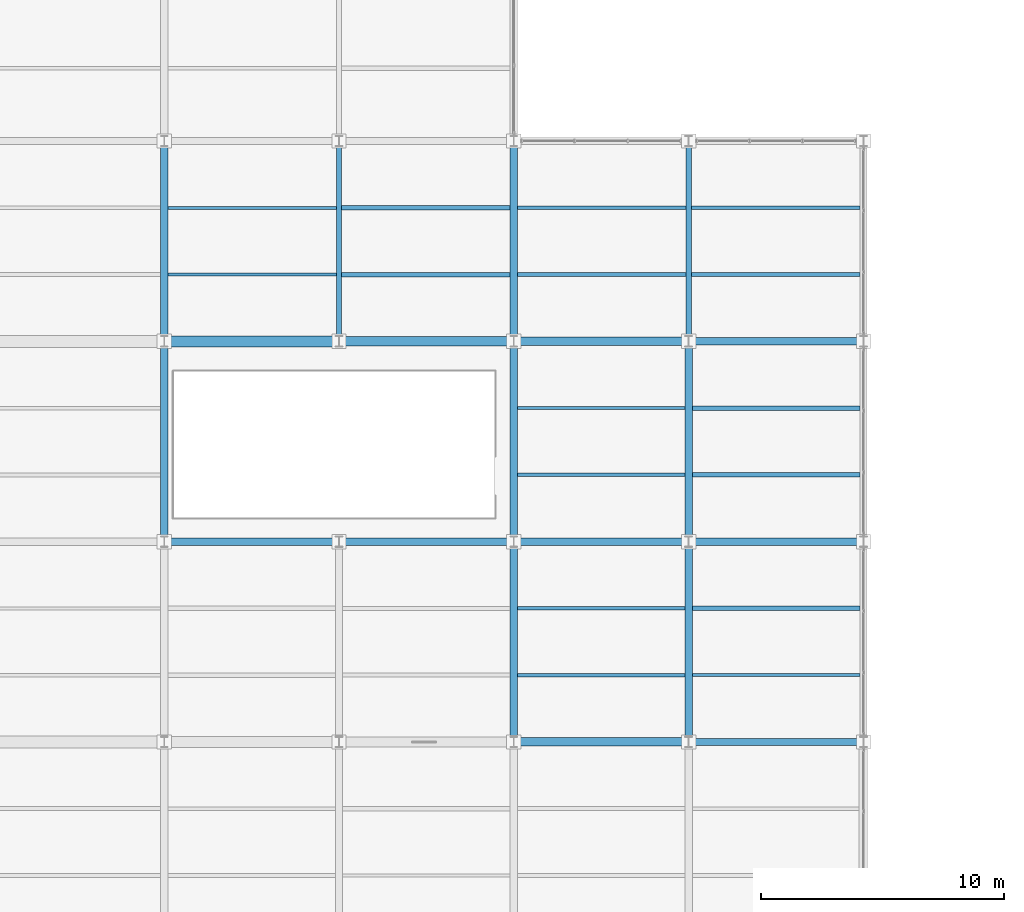
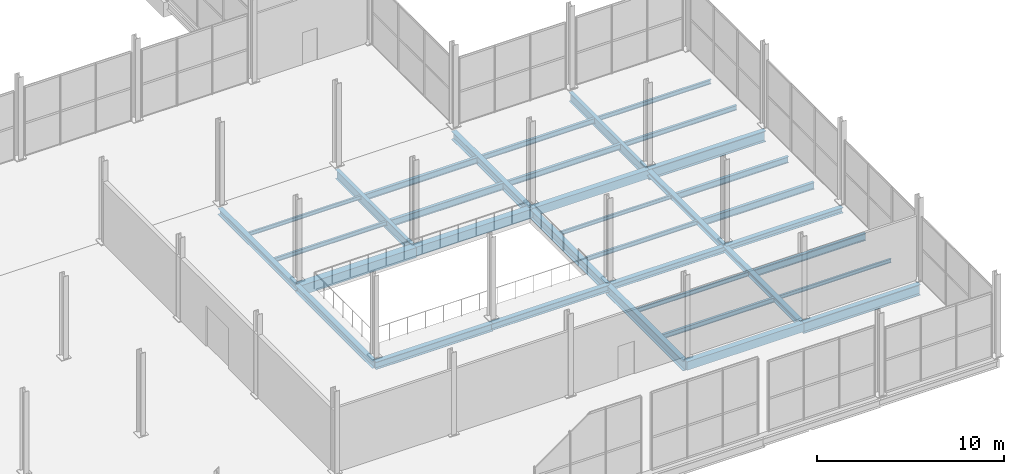
# One storey, part 81 of 147: 35 beams.
"""IFC4 building model written with IfcOpenShell, lengths in metres."""

from ifc_helpers import new_model, si_unit, direction, frame, origin, origin_2d, place, context, subcontext, project, spatial, rectangle, i_section, extrude, material, material_profile, profile_set, type_object, element, save


model = new_model("IFC4")

# Units and contexts
model_context = context("Model", 3, precision=1e-05, world=origin(), true_north=direction((0.0, 1.0)))
body_context = subcontext(model_context, "Body", "Model", "MODEL_VIEW")
ifc_project = project(units=[si_unit("LENGTHUNIT", "METRE"), si_unit("AREAUNIT", "SQUARE_METRE"), si_unit("VOLUMEUNIT", "CUBIC_METRE"), si_unit("PLANEANGLEUNIT", "RADIAN"), si_unit("MASSUNIT", "GRAM", prefix="KILO")], contexts=[model_context])

# Site, building, storey
site_placement = place(None, origin())
site = spatial("IfcSite", under=ifc_project, at=site_placement, CompositionType="ELEMENT")
building_placement = place(site_placement, origin())
building = spatial("IfcBuilding", under=site, at=building_placement, Name="Sundgate Opera House", CompositionType="ELEMENT")
storey_placement = place(building_placement, frame((0.0, 0.0, 6.0)))
storey = spatial("IfcBuildingStorey", under=building, at=storey_placement, Name="L01", CompositionType="ELEMENT", Elevation=6.0)

# Beams
ifc_material_1 = material(Name="Steel S355J2", Category="steel")
ifc_material_profile_1 = material_profile(ifc_material_1, i_section(OverallWidth=0.300048828125, OverallDepth=0.330078125, WebThickness=0.009521484375, FlangeThickness=0.0166015625, at=origin_2d()), Name="HEA 340")
ifc_profile_set_1 = profile_set([ifc_material_profile_1], Name="Steel S355J2")
beam_type_1 = type_object("IfcBeamType", Name="BM-GR-HEA340", PredefinedType="BEAM", material=ifc_profile_set_1)
beam_1_placement = place(storey_placement, frame((153.0, 16.5, -0.465087890625), z_axis=(0.0, 1.0, 0.0), x_axis=(-1.0, 0.0, 0.0)))
element("IfcBeam", 1, at=beam_1_placement, inside=storey, type_object=beam_type_1, Name="L01 Primary N-S Girder B1239", PredefinedType="BEAM", context=body_context, shape_type="SweptSolid", body=[
    extrude(i_section(OverallWidth=0.300048828125, OverallDepth=0.330078125, WebThickness=0.009521484375, FlangeThickness=0.0166015625, at=origin_2d()), origin(), (0.0, 0.0, 1.0), 8.25),
])
ifc_material_2 = material(Name="Steel S355J2", Category="steel")
ifc_material_profile_2 = material_profile(ifc_material_2, i_section(OverallWidth=0.300048828125, OverallDepth=0.35009765625, WebThickness=0.010009765625, FlangeThickness=0.017578125, at=origin_2d()), Name="HEA 360")
ifc_profile_set_2 = profile_set([ifc_material_profile_2], Name="Steel S355J2")
beam_type_2 = type_object("IfcBeamType", Name="BM-GR-HEA360", PredefinedType="BEAM", material=ifc_profile_set_2)
beam_2_placement = place(storey_placement, frame((153.0, 8.25, -0.47509765625), z_axis=(0.0, 1.0, 0.0), x_axis=(-1.0, 0.0, 0.0)))
element("IfcBeam", 2, at=beam_2_placement, inside=storey, type_object=beam_type_2, Name="L01 Primary N-S Girder B1238", PredefinedType="BEAM", context=body_context, shape_type="SweptSolid", body=[
    extrude(i_section(OverallWidth=0.300048828125, OverallDepth=0.35009765625, WebThickness=0.010009765625, FlangeThickness=0.017578125, at=origin_2d()), origin(), (0.0, 0.0, 1.0), 8.25),
])
beam_3_placement = place(storey_placement, frame((153.0, 16.5, -0.47509765625), z_axis=(1.0, 0.0, 0.0), x_axis=(0.0, 1.0, 0.0)))
element("IfcBeam", 3, at=beam_3_placement, inside=storey, type_object=beam_type_2, Name="L01 Primary E-W Girder B1304", PredefinedType="BEAM", context=body_context, shape_type="SweptSolid", body=[
    extrude(i_section(OverallWidth=0.300048828125, OverallDepth=0.35009765625, WebThickness=0.010009765625, FlangeThickness=0.017578125, at=origin_2d()), origin(), (0.0, 0.0, 1.0), 7.199951171875),
])
ifc_material_3 = material(Name="Steel S355J2", Category="steel")
ifc_material_profile_3 = material_profile(ifc_material_3, i_section(OverallWidth=0.300048828125, OverallDepth=0.389892578125, WebThickness=0.010986328125, FlangeThickness=0.01904296875, at=origin_2d()), Name="HEA 400")
ifc_profile_set_3 = profile_set([ifc_material_profile_3], Name="Steel S355J2")
beam_type_3 = type_object("IfcBeamType", Name="BM-GR-HEA400", PredefinedType="BEAM", material=ifc_profile_set_3)
beam_4_placement = place(storey_placement, frame((145.800048828125, 16.5, -0.4951171875), z_axis=(1.0, 0.0, 0.0), x_axis=(0.0, 1.0, 0.0)))
element("IfcBeam", 4, at=beam_4_placement, inside=storey, type_object=beam_type_3, Name="L01 Primary E-W Girder B1303", PredefinedType="BEAM", context=body_context, shape_type="SweptSolid", body=[
    extrude(i_section(OverallWidth=0.300048828125, OverallDepth=0.389892578125, WebThickness=0.010986328125, FlangeThickness=0.01904296875, at=origin_2d()), origin(), (0.0, 0.0, 1.0), 7.199951171875),
])
ifc_material_4 = material(Name="Steel S355J2", Category="steel")
ifc_material_profile_4 = material_profile(ifc_material_4, i_section(OverallWidth=0.300048828125, OverallDepth=0.43994140625, WebThickness=0.011474609375, FlangeThickness=0.02099609375, at=origin_2d()), Name="HEA 450")
ifc_profile_set_4 = profile_set([ifc_material_profile_4], Name="Steel S355J2")
beam_type_4 = type_object("IfcBeamType", Name="BM-GR-HEA450", PredefinedType="BEAM", material=ifc_profile_set_4)
beam_5_placement = place(storey_placement, frame((138.60009765625, 16.5, -0.52001953125), z_axis=(1.0, 0.0, 0.0), x_axis=(0.0, 1.0, 0.0)))
element("IfcBeam", 5, at=beam_5_placement, inside=storey, type_object=beam_type_4, Name="L01 Primary E-W Girder B1302", PredefinedType="BEAM", context=body_context, shape_type="SweptSolid", body=[
    extrude(i_section(OverallWidth=0.300048828125, OverallDepth=0.43994140625, WebThickness=0.011474609375, FlangeThickness=0.02099609375, at=origin_2d()), origin(), (0.0, 0.0, 1.0), 7.199951171875),
])
ifc_material_5 = material(Name="Steel S355J2", Category="steel")
ifc_material_profile_5 = material_profile(ifc_material_5, i_section(OverallWidth=0.300048828125, OverallDepth=0.489990234375, WebThickness=0.011962890625, FlangeThickness=0.02294921875, at=origin_2d()), Name="HEA 500")
ifc_profile_set_5 = profile_set([ifc_material_profile_5], Name="Steel S355J2")
beam_type_5 = type_object("IfcBeamType", Name="BM-GR-HEA500", PredefinedType="BEAM", material=ifc_profile_set_5)
beam_6_placement = place(storey_placement, frame((131.39990234375, 16.5, -0.544921875), z_axis=(1.0, 0.0, 0.0), x_axis=(0.0, 1.0, 0.0)))
element("IfcBeam", 6, at=beam_6_placement, inside=storey, type_object=beam_type_5, Name="L01 Primary E-W Girder B1301", PredefinedType="BEAM", context=body_context, shape_type="SweptSolid", body=[
    extrude(i_section(OverallWidth=0.300048828125, OverallDepth=0.489990234375, WebThickness=0.011962890625, FlangeThickness=0.02294921875, at=origin_2d()), origin(), (0.0, 0.0, 1.0), 7.2001953125),
])
ifc_material_6 = material(Name="Steel S355J2", Category="steel")
ifc_material_profile_6 = material_profile(ifc_material_6, i_section(OverallWidth=0.300048828125, OverallDepth=0.39990234375, WebThickness=0.013427734375, FlangeThickness=0.02392578125, at=origin_2d()), Name="HEB 400")
ifc_profile_set_6 = profile_set([ifc_material_profile_6], Name="Steel S355J2")
beam_type_6 = type_object("IfcBeamType", Name="BM-GR-HEB400", PredefinedType="BEAM", material=ifc_profile_set_6)
beam_7_placement = place(storey_placement, frame((131.39990234375, 24.75, -0.5), z_axis=(0.0, 1.0, 0.0), x_axis=(-1.0, 0.0, 0.0)))
element("IfcBeam", 7, at=beam_7_placement, inside=storey, type_object=beam_type_6, Name="L01 Primary N-S Girder B1210", PredefinedType="BEAM", context=body_context, shape_type="SweptSolid", body=[
    extrude(i_section(OverallWidth=0.300048828125, OverallDepth=0.39990234375, WebThickness=0.013427734375, FlangeThickness=0.02392578125, at=origin_2d()), origin(), (0.0, 0.0, 1.0), 8.25),
])
ifc_material_7 = material(Name="Steel S355J2", Category="steel")
ifc_material_profile_7 = material_profile(ifc_material_7, i_section(OverallWidth=0.300048828125, OverallDepth=0.449951171875, WebThickness=0.013916015625, FlangeThickness=0.02587890625, at=origin_2d()), Name="HEB 450")
ifc_profile_set_7 = profile_set([ifc_material_profile_7], Name="Steel S355J2")
beam_type_7 = type_object("IfcBeamType", Name="BM-GR-HEB450", PredefinedType="BEAM", material=ifc_profile_set_7)
beam_8_placement = place(storey_placement, frame((131.39990234375, 16.5, -0.52490234375), z_axis=(0.0, 1.0, 0.0), x_axis=(-1.0, 0.0, 0.0)))
element("IfcBeam", 8, at=beam_8_placement, inside=storey, type_object=beam_type_7, Name="L01 Primary N-S Girder B1209", PredefinedType="BEAM", context=body_context, shape_type="SweptSolid", body=[
    extrude(i_section(OverallWidth=0.300048828125, OverallDepth=0.449951171875, WebThickness=0.013916015625, FlangeThickness=0.02587890625, at=origin_2d()), origin(), (0.0, 0.0, 1.0), 8.25),
])
ifc_material_8 = material(Name="Steel S355J2", Category="steel")
ifc_material_profile_8 = material_profile(ifc_material_8, i_section(OverallWidth=0.300048828125, OverallDepth=0.550048828125, WebThickness=0.014892578125, FlangeThickness=0.029052734375, at=origin_2d()), Name="HEB 550")
ifc_profile_set_8 = profile_set([ifc_material_profile_8], Name="Steel S355J2")
beam_type_8 = type_object("IfcBeamType", Name="BM-GR-HEB550", PredefinedType="BEAM", material=ifc_profile_set_8)
beam_9_placement = place(storey_placement, frame((145.800048828125, 24.75, -0.574951171875), z_axis=(0.0, 1.0, 0.0), x_axis=(-1.0, 0.0, 0.0)))
element("IfcBeam", 9, at=beam_9_placement, inside=storey, type_object=beam_type_8, Name="L01 Primary N-S Girder B1229", PredefinedType="BEAM", context=body_context, shape_type="SweptSolid", body=[
    extrude(i_section(OverallWidth=0.300048828125, OverallDepth=0.550048828125, WebThickness=0.014892578125, FlangeThickness=0.029052734375, at=origin_2d()), origin(), (0.0, 0.0, 1.0), 8.25),
])
ifc_material_9 = material(Name="Steel S355J2", Category="steel")
ifc_material_profile_9 = material_profile(ifc_material_9, i_section(OverallWidth=0.300048828125, OverallDepth=0.60009765625, WebThickness=0.015380859375, FlangeThickness=0.030029296875, at=origin_2d()), Name="HEB 600")
ifc_profile_set_9 = profile_set([ifc_material_profile_9], Name="Steel S355J2")
beam_type_9 = type_object("IfcBeamType", Name="BM-GR-HEB600", PredefinedType="BEAM", material=ifc_profile_set_9)
beam_10_placement = place(storey_placement, frame((145.800048828125, 16.5, -0.60009765625), z_axis=(0.0, 1.0, 0.0), x_axis=(-1.0, 0.0, 0.0)))
element("IfcBeam", 10, at=beam_10_placement, inside=storey, type_object=beam_type_9, Name="L01 Primary N-S Girder B1228", PredefinedType="BEAM", context=body_context, shape_type="SweptSolid", body=[
    extrude(i_section(OverallWidth=0.300048828125, OverallDepth=0.60009765625, WebThickness=0.015380859375, FlangeThickness=0.030029296875, at=origin_2d()), origin(), (0.0, 0.0, 1.0), 8.25),
])
ifc_material_10 = material(Name="Steel S355J2", Category="steel")
ifc_material_profile_10 = material_profile(ifc_material_10, i_section(OverallWidth=0.300048828125, OverallDepth=0.64990234375, WebThickness=0.01611328125, FlangeThickness=0.031005859375, at=origin_2d()), Name="HEB 650")
ifc_profile_set_10 = profile_set([ifc_material_profile_10], Name="Steel S355J2")
beam_type_10 = type_object("IfcBeamType", Name="BM-GR-HEB650", PredefinedType="BEAM", material=ifc_profile_set_10)
beam_11_placement = place(storey_placement, frame((145.800048828125, 8.25, -0.625), z_axis=(0.0, 1.0, 0.0), x_axis=(-1.0, 0.0, 0.0)))
element("IfcBeam", 11, at=beam_11_placement, inside=storey, type_object=beam_type_10, Name="L01 Primary N-S Girder B1227", PredefinedType="BEAM", context=body_context, shape_type="SweptSolid", body=[
    extrude(i_section(OverallWidth=0.300048828125, OverallDepth=0.64990234375, WebThickness=0.01611328125, FlangeThickness=0.031005859375, at=origin_2d()), origin(), (0.0, 0.0, 1.0), 8.25),
])
ifc_material_11 = material(Name="Steel S355J2", Category="steel")
ifc_material_profile_11 = material_profile(ifc_material_11, i_section(OverallWidth=0.300048828125, OverallDepth=0.699951171875, WebThickness=0.01708984375, FlangeThickness=0.031982421875, at=origin_2d()), Name="HEB 700")
ifc_profile_set_11 = profile_set([ifc_material_profile_11], Name="Steel S355J2")
beam_type_11 = type_object("IfcBeamType", Name="BM-GR-HEB700", PredefinedType="BEAM", material=ifc_profile_set_11)
for number, where, z_axis, x_axis, name in (
    (12, (153.0, 8.25, -0.64990234375), (1.0, 0.0, 0.0), (0.0, 1.0, 0.0), "L01 Primary E-W Girder B1292"),
    (13, (153.0, 24.75, -0.64990234375), (1.0, 0.0, 0.0), (0.0, 1.0, 0.0), "L01 Primary E-W Girder B1314"),
):
    element("IfcBeam", number, at=place(storey_placement, frame(where, z_axis=z_axis, x_axis=x_axis)), inside=storey, type_object=beam_type_11, Name=name, PredefinedType="BEAM", context=body_context, shape_type="SweptSolid", body=[
        extrude(i_section(OverallWidth=0.300048828125, OverallDepth=0.699951171875, WebThickness=0.01708984375, FlangeThickness=0.031982421875, at=origin_2d()), origin(), (0.0, 0.0, 1.0), 7.199951171875),
    ])
ifc_material_12 = material(Name="Steel S355J2", Category="steel")
ifc_material_profile_12 = material_profile(ifc_material_12, i_section(OverallWidth=0.219970703125, OverallDepth=0.60009765625, WebThickness=0.011962890625, FlangeThickness=0.01904296875, at=origin_2d()), Name="IPE 600")
ifc_profile_set_12 = profile_set([ifc_material_profile_12], Name="Steel S355J2")
beam_type_12 = type_object("IfcBeamType", Name="BM-GR-IPE600", PredefinedType="BEAM", material=ifc_profile_set_12)
for number, where, z_axis, x_axis, name in (
    (14, (138.60009765625, 24.75, -0.60009765625), (0.0, 1.0, 0.0), (-1.0, 0.0, 0.0), "L01 Primary N-S Girder B1218"),
    (15, (153.0, 24.75, -0.60009765625), (0.0, 1.0, 0.0), (-1.0, 0.0, 0.0), "L01 Primary N-S Girder B1240"),
):
    element("IfcBeam", number, at=place(storey_placement, frame(where, z_axis=z_axis, x_axis=x_axis)), inside=storey, type_object=beam_type_12, Name=name, PredefinedType="BEAM", context=body_context, shape_type="SweptSolid", body=[
        extrude(i_section(OverallWidth=0.219970703125, OverallDepth=0.60009765625, WebThickness=0.011962890625, FlangeThickness=0.01904296875, at=origin_2d()), origin(), (0.0, 0.0, 1.0), 8.25),
    ])
ifc_material_13 = material(Name="Steel S355J2", Category="steel")
ifc_material_profile_13 = material_profile(ifc_material_13, i_section(OverallWidth=0.1201171875, OverallDepth=0.239990234375, WebThickness=0.006103515625, FlangeThickness=0.009765625, at=origin_2d()), Name="IPE 240")
ifc_profile_set_13 = profile_set([ifc_material_profile_13], Name="Steel S355J2")
beam_type_13 = type_object("IfcBeamType", Name="BM-JS-IPE240", PredefinedType="JOIST", material=ifc_profile_set_13)
for number, where, z_axis, x_axis, name in (
    (16, (153.14990234375, 11.0, -0.419921875), (1.0, 0.0, 0.0), (0.0, 1.0, 0.0), "L01 Secondary Floor Joist B1518"),
    (17, (145.949951171875, 22.0, -0.419921875), (1.0, 0.0, 0.0), (0.0, 1.0, 0.0), "L01 Secondary Floor Joist B1532"),
):
    element("IfcBeam", number, at=place(storey_placement, frame(where, z_axis=z_axis, x_axis=x_axis)), inside=storey, type_object=beam_type_13, Name=name, PredefinedType="JOIST", context=body_context, shape_type="SweptSolid", body=[
        extrude(i_section(OverallWidth=0.1201171875, OverallDepth=0.239990234375, WebThickness=0.006103515625, FlangeThickness=0.009765625, at=origin_2d()), origin(), (0.0, 0.0, 1.0), 6.900146484375),
    ])
beam_12_placement = place(storey_placement, frame((131.550048828125, 30.25, -0.419921875), z_axis=(1.0, 0.0, 0.0), x_axis=(0.0, 1.0, 0.0)))
element("IfcBeam", 18, at=beam_12_placement, inside=storey, type_object=beam_type_13, Name="L01 Secondary Floor Joist B1546", PredefinedType="JOIST", context=body_context, shape_type="SweptSolid", body=[
    extrude(i_section(OverallWidth=0.1201171875, OverallDepth=0.239990234375, WebThickness=0.006103515625, FlangeThickness=0.009765625, at=origin_2d()), origin(), (0.0, 0.0, 1.0), 6.93994140625),
])
ifc_material_14 = material(Name="Steel S355J2", Category="steel")
ifc_material_profile_14 = material_profile(ifc_material_14, i_section(OverallWidth=0.135009765625, OverallDepth=0.27001953125, WebThickness=0.006591796875, FlangeThickness=0.01025390625, at=origin_2d()), Name="IPE 270")
ifc_profile_set_14 = profile_set([ifc_material_profile_14], Name="Steel S355J2")
beam_type_14 = type_object("IfcBeamType", Name="BM-JS-IPE270", PredefinedType="JOIST", material=ifc_profile_set_14)
for number, where, z_axis, x_axis, name in (
    (19, (145.949951171875, 13.75, -0.43505859375), (1.0, 0.0, 0.0), (0.0, 1.0, 0.0), "L01 Secondary Floor Joist B1517"),
    (20, (145.949951171875, 19.25, -0.43505859375), (1.0, 0.0, 0.0), (0.0, 1.0, 0.0), "L01 Secondary Floor Joist B1531"),
):
    element("IfcBeam", number, at=place(storey_placement, frame(where, z_axis=z_axis, x_axis=x_axis)), inside=storey, type_object=beam_type_14, Name=name, PredefinedType="JOIST", context=body_context, shape_type="SweptSolid", body=[
        extrude(i_section(OverallWidth=0.135009765625, OverallDepth=0.27001953125, WebThickness=0.006591796875, FlangeThickness=0.01025390625, at=origin_2d()), origin(), (0.0, 0.0, 1.0), 6.900146484375),
    ])
for number, where, z_axis, x_axis, name in (
    (21, (131.550048828125, 27.5, -0.43505859375), (1.0, 0.0, 0.0), (0.0, 1.0, 0.0), "L01 Secondary Floor Joist B1545"),
    (22, (153.110107421875, 30.25, -0.43505859375), (1.0, 0.0, 0.0), (0.0, 1.0, 0.0), "L01 Secondary Floor Joist B1552"),
):
    element("IfcBeam", number, at=place(storey_placement, frame(where, z_axis=z_axis, x_axis=x_axis)), inside=storey, type_object=beam_type_14, Name=name, PredefinedType="JOIST", context=body_context, shape_type="SweptSolid", body=[
        extrude(i_section(OverallWidth=0.135009765625, OverallDepth=0.27001953125, WebThickness=0.006591796875, FlangeThickness=0.01025390625, at=origin_2d()), origin(), (0.0, 0.0, 1.0), 6.93994140625),
    ])
ifc_material_15 = material(Name="Steel S355J2", Category="steel")
ifc_material_profile_15 = material_profile(ifc_material_15, i_section(OverallWidth=0.14990234375, OverallDepth=0.300048828125, WebThickness=0.007080078125, FlangeThickness=0.0107421875, at=origin_2d()), Name="IPE 300")
ifc_profile_set_15 = profile_set([ifc_material_profile_15], Name="Steel S355J2")
beam_type_15 = type_object("IfcBeamType", Name="BM-JS-IPE300", PredefinedType="JOIST", material=ifc_profile_set_15)
beam_13_placement = place(storey_placement, frame((145.949951171875, 11.0, -0.449951171875), z_axis=(1.0, 0.0, 0.0), x_axis=(0.0, 1.0, 0.0)))
element("IfcBeam", 23, at=beam_13_placement, inside=storey, type_object=beam_type_15, Name="L01 Secondary Floor Joist B1516", PredefinedType="JOIST", context=body_context, shape_type="SweptSolid", body=[
    extrude(i_section(OverallWidth=0.14990234375, OverallDepth=0.300048828125, WebThickness=0.007080078125, FlangeThickness=0.0107421875, at=origin_2d()), origin(), (0.0, 0.0, 1.0), 6.900146484375),
])
beam_14_placement = place(storey_placement, frame((153.110107421875, 27.5, -0.449951171875), z_axis=(1.0, 0.0, 0.0), x_axis=(0.0, 1.0, 0.0)))
element("IfcBeam", 24, at=beam_14_placement, inside=storey, type_object=beam_type_15, Name="L01 Secondary Floor Joist B1551", PredefinedType="JOIST", context=body_context, shape_type="SweptSolid", body=[
    extrude(i_section(OverallWidth=0.14990234375, OverallDepth=0.300048828125, WebThickness=0.007080078125, FlangeThickness=0.0107421875, at=origin_2d()), origin(), (0.0, 0.0, 1.0), 6.93994140625),
])
ifc_material_16 = material(Name="Steel S355J2", Category="steel")
ifc_material_profile_16 = material_profile(ifc_material_16, i_section(OverallWidth=0.159912109375, OverallDepth=0.330078125, WebThickness=0.007568359375, FlangeThickness=0.011474609375, at=origin_2d()), Name="IPE 330")
ifc_profile_set_16 = profile_set([ifc_material_profile_16], Name="Steel S355J2")
beam_type_16 = type_object("IfcBeamType", Name="BM-JS-IPE330", PredefinedType="JOIST", material=ifc_profile_set_16)
beam_15_placement = place(storey_placement, frame((145.949951171875, 30.25, -0.465087890625), z_axis=(1.0, 0.0, 0.0), x_axis=(0.0, 1.0, 0.0)))
element("IfcBeam", 25, at=beam_15_placement, inside=storey, type_object=beam_type_16, Name="L01 Secondary Floor Joist B1550", PredefinedType="JOIST", context=body_context, shape_type="SweptSolid", body=[
    extrude(i_section(OverallWidth=0.159912109375, OverallDepth=0.330078125, WebThickness=0.007568359375, FlangeThickness=0.011474609375, at=origin_2d()), origin(), (0.0, 0.0, 1.0), 6.93994140625),
])
ifc_material_17 = material(Name="Steel S355J2", Category="steel")
ifc_material_profile_17 = material_profile(ifc_material_17, i_section(OverallWidth=0.169921875, OverallDepth=0.360107421875, WebThickness=0.008056640625, FlangeThickness=0.0126953125, at=origin_2d()), Name="IPE 360")
ifc_profile_set_17 = profile_set([ifc_material_profile_17], Name="Steel S355J2")
beam_type_17 = type_object("IfcBeamType", Name="BM-JS-IPE360", PredefinedType="JOIST", material=ifc_profile_set_17)
beam_16_placement = place(storey_placement, frame((145.949951171875, 27.5, -0.47998046875), z_axis=(1.0, 0.0, 0.0), x_axis=(0.0, 1.0, 0.0)))
element("IfcBeam", 26, at=beam_16_placement, inside=storey, type_object=beam_type_17, Name="L01 Secondary Floor Joist B1549", PredefinedType="JOIST", context=body_context, shape_type="SweptSolid", body=[
    extrude(i_section(OverallWidth=0.169921875, OverallDepth=0.360107421875, WebThickness=0.008056640625, FlangeThickness=0.0126953125, at=origin_2d()), origin(), (0.0, 0.0, 1.0), 6.93994140625),
])
ifc_material_18 = material(Name="Steel S355J2", Category="steel")
ifc_material_profile_18 = material_profile(ifc_material_18, i_section(OverallWidth=0.179931640625, OverallDepth=0.39990234375, WebThickness=0.008544921875, FlangeThickness=0.013427734375, at=origin_2d()), Name="IPE 400")
ifc_profile_set_18 = profile_set([ifc_material_profile_18], Name="Steel S355J2")
beam_type_18 = type_object("IfcBeamType", Name="BM-JS-IPE400", PredefinedType="JOIST", material=ifc_profile_set_18)
beam_17_placement = place(storey_placement, frame((153.14990234375, 22.0, -0.5), z_axis=(1.0, 0.0, 0.0), x_axis=(0.0, 1.0, 0.0)))
element("IfcBeam", 27, at=beam_17_placement, inside=storey, type_object=beam_type_18, Name="L01 Secondary Floor Joist B1534", PredefinedType="JOIST", context=body_context, shape_type="SweptSolid", body=[
    extrude(i_section(OverallWidth=0.179931640625, OverallDepth=0.39990234375, WebThickness=0.008544921875, FlangeThickness=0.013427734375, at=origin_2d()), origin(), (0.0, 0.0, 1.0), 6.900146484375),
])
beam_18_placement = place(storey_placement, frame((138.7099609375, 30.25, -0.5), z_axis=(1.0, 0.0, 0.0), x_axis=(0.0, 1.0, 0.0)))
element("IfcBeam", 28, at=beam_18_placement, inside=storey, type_object=beam_type_18, Name="L01 Secondary Floor Joist B1548", PredefinedType="JOIST", context=body_context, shape_type="SweptSolid", body=[
    extrude(i_section(OverallWidth=0.179931640625, OverallDepth=0.39990234375, WebThickness=0.008544921875, FlangeThickness=0.013427734375, at=origin_2d()), origin(), (0.0, 0.0, 1.0), 6.93994140625),
])
ifc_material_19 = material(Name="Steel S355J2", Category="steel")
ifc_material_profile_19 = material_profile(ifc_material_19, i_section(OverallWidth=0.18994140625, OverallDepth=0.449951171875, WebThickness=0.009521484375, FlangeThickness=0.0146484375, at=origin_2d()), Name="IPE 450")
ifc_profile_set_19 = profile_set([ifc_material_profile_19], Name="Steel S355J2")
beam_type_19 = type_object("IfcBeamType", Name="BM-JS-IPE450", PredefinedType="JOIST", material=ifc_profile_set_19)
for number, where, z_axis, x_axis, name in (
    (29, (153.14990234375, 13.75, -0.52490234375), (1.0, 0.0, 0.0), (0.0, 1.0, 0.0), "L01 Secondary Floor Joist B1519"),
    (30, (153.14990234375, 19.25, -0.52490234375), (1.0, 0.0, 0.0), (0.0, 1.0, 0.0), "L01 Secondary Floor Joist B1533"),
):
    element("IfcBeam", number, at=place(storey_placement, frame(where, z_axis=z_axis, x_axis=x_axis)), inside=storey, type_object=beam_type_19, Name=name, PredefinedType="JOIST", context=body_context, shape_type="SweptSolid", body=[
        extrude(i_section(OverallWidth=0.18994140625, OverallDepth=0.449951171875, WebThickness=0.009521484375, FlangeThickness=0.0146484375, at=origin_2d()), origin(), (0.0, 0.0, 1.0), 6.900146484375),
    ])
beam_19_placement = place(storey_placement, frame((138.7099609375, 27.5, -0.52490234375), z_axis=(1.0, 0.0, 0.0), x_axis=(0.0, 1.0, 0.0)))
element("IfcBeam", 31, at=beam_19_placement, inside=storey, type_object=beam_type_19, Name="L01 Secondary Floor Joist B1547", PredefinedType="JOIST", context=body_context, shape_type="SweptSolid", body=[
    extrude(i_section(OverallWidth=0.18994140625, OverallDepth=0.449951171875, WebThickness=0.009521484375, FlangeThickness=0.0146484375, at=origin_2d()), origin(), (0.0, 0.0, 1.0), 6.93994140625),
])
ifc_material_20 = material(Name="Concrete C35/45", Category="concrete")
ifc_material_profile_20 = material_profile(ifc_material_20, rectangle(XDim=0.35009765625, YDim=0.550048828125, at=origin_2d()), Name="RC 350x550")
ifc_profile_set_20 = profile_set([ifc_material_profile_20], Name="Concrete C35/45")
beam_type_20 = type_object("IfcBeamType", Name="BM-RC-350x550", PredefinedType="BEAM", material=ifc_profile_set_20)
for number, where, z_axis, x_axis, name in (
    (32, (145.800048828125, 8.25, -0.574951171875), (1.0, 0.0, 0.0), (0.0, 1.0, 0.0), "L01 Primary E-W Girder B1291"),
    (33, (145.800048828125, 24.75, -0.574951171875), (1.0, 0.0, 0.0), (0.0, 1.0, 0.0), "L01 Primary E-W Girder B1313"),
):
    element("IfcBeam", number, at=place(storey_placement, frame(where, z_axis=z_axis, x_axis=x_axis)), inside=storey, type_object=beam_type_20, Name=name, PredefinedType="BEAM", context=body_context, shape_type="SweptSolid", body=[
        extrude(rectangle(XDim=0.35009765625, YDim=0.550048828125, at=origin_2d()), origin(), (0.0, 0.0, 1.0), 7.199951171875),
    ])
ifc_material_21 = material(Name="Concrete C35/45", Category="concrete")
ifc_material_profile_21 = material_profile(ifc_material_21, rectangle(XDim=0.39990234375, YDim=0.60009765625, at=origin_2d()), Name="RC 400x600")
ifc_profile_set_21 = profile_set([ifc_material_profile_21], Name="Concrete C35/45")
beam_type_21 = type_object("IfcBeamType", Name="BM-RC-400x600", PredefinedType="BEAM", material=ifc_profile_set_21)
beam_20_placement = place(storey_placement, frame((138.60009765625, 24.75, -0.60009765625), z_axis=(1.0, 0.0, 0.0), x_axis=(0.0, 1.0, 0.0)))
element("IfcBeam", 34, at=beam_20_placement, inside=storey, type_object=beam_type_21, Name="L01 Primary E-W Girder B1312", PredefinedType="BEAM", context=body_context, shape_type="SweptSolid", body=[
    extrude(rectangle(XDim=0.39990234375, YDim=0.60009765625, at=origin_2d()), origin(), (0.0, 0.0, 1.0), 7.199951171875),
])
ifc_material_22 = material(Name="Concrete C35/45", Category="concrete")
ifc_material_profile_22 = material_profile(ifc_material_22, rectangle(XDim=0.449951171875, YDim=0.64990234375, at=origin_2d()), Name="RC 450x650")
ifc_profile_set_22 = profile_set([ifc_material_profile_22], Name="Concrete C35/45")
beam_type_22 = type_object("IfcBeamType", Name="BM-RC-450x650", PredefinedType="BEAM", material=ifc_profile_set_22)
beam_21_placement = place(storey_placement, frame((131.39990234375, 24.75, -0.625), z_axis=(1.0, 0.0, 0.0), x_axis=(0.0, 1.0, 0.0)))
element("IfcBeam", 35, at=beam_21_placement, inside=storey, type_object=beam_type_22, Name="L01 Primary E-W Girder B1311", PredefinedType="BEAM", context=body_context, shape_type="SweptSolid", body=[
    extrude(rectangle(XDim=0.449951171875, YDim=0.64990234375, at=origin_2d()), origin(), (0.0, 0.0, 1.0), 7.2001953125),
])

save(model, "model.ifc")
